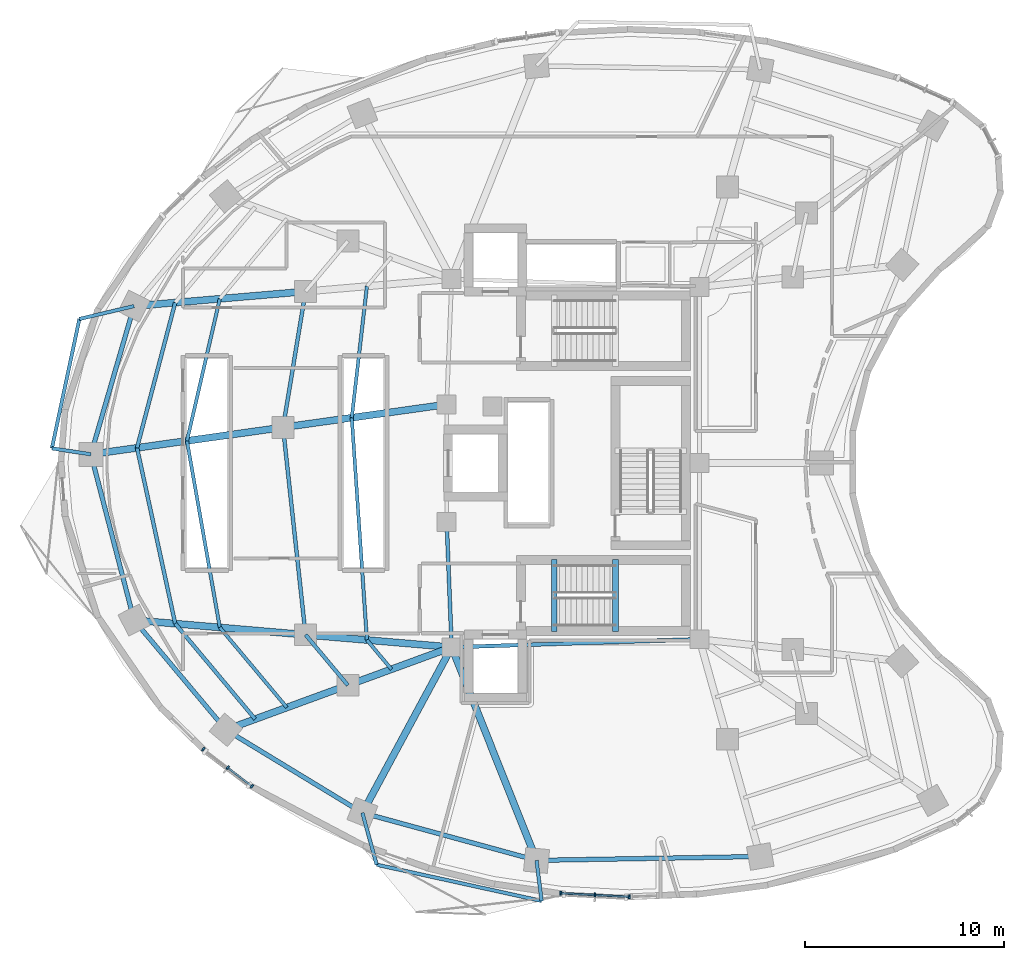
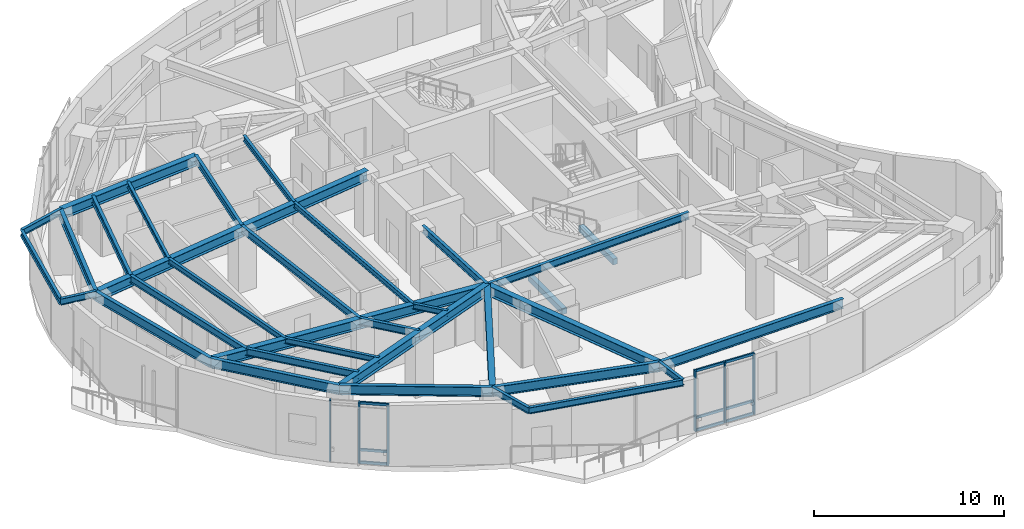
# One storey, part 2 of 13: 37 beams, 15 members, 2 elements without a shape of their own.
"""IFC4 building model written with IfcOpenShell, lengths in metres."""

from ifc_helpers import new_model, si_unit, direction, frame, origin, origin_2d, place, context, subcontext, project, spatial, rectangle, i_section, extrude, material, layer, layer_set, material_profile, profile_set, type_object, element, aggregate, save


model = new_model("IFC4")

# Units and contexts
model_context = context("Model", 3, precision=1e-05, world=origin(), true_north=direction((0.0, 1.0)))
body_context = subcontext(model_context, "Body", "Model", "MODEL_VIEW")
ifc_project = project(units=[si_unit("LENGTHUNIT", "METRE"), si_unit("AREAUNIT", "SQUARE_METRE"), si_unit("VOLUMEUNIT", "CUBIC_METRE"), si_unit("PLANEANGLEUNIT", "RADIAN"), si_unit("MASSUNIT", "GRAM", prefix="KILO")], contexts=[model_context])

# Site, building, storey
site_placement = place(None, origin())
site = spatial("IfcSite", under=ifc_project, at=site_placement, CompositionType="ELEMENT")
building_placement = place(site_placement, origin())
building = spatial("IfcBuilding", under=site, at=building_placement, Name="Korentha Bioscience Tower", CompositionType="ELEMENT")
storey_placement = place(building_placement, frame((0.0, 0.0, 106.800048828125)))
storey = spatial("IfcBuildingStorey", under=building, at=storey_placement, Name="L24", CompositionType="ELEMENT", Elevation=106.800048828125)

# Beams
ifc_material_1 = material(Name="Concrete C50", Category="concrete")
ifc_material_profile_1 = material_profile(ifc_material_1, rectangle(XDim=0.280029296875, YDim=0.3798828125, at=origin_2d()), Name="Concrete C50")
ifc_profile_set_1 = profile_set([ifc_material_profile_1], Name="Concrete C50 (ST-HB380)")
beam_type_1 = type_object("IfcBeamType", Name="Concrete Stair Header Beam RC 280x380", PredefinedType="BEAM", material=ifc_profile_set_1)
for number, where, z_axis, x_axis, name in (
    (1, (30.25, 18.550048828125, -0.18994140625), (0.0, 1.0, 0.0), (-1.0, 0.0, 0.0), "L24 ST-2 Concrete Stair Header Beam"),
    (2, (33.330078125, 18.550048828125, 1.909912109375), (0.0, 1.0, 0.0), (-1.0, 0.0, 0.0), "L24 ST-2 Half-Landing Header Beam 1"),
):
    element("IfcBeam", number, at=place(storey_placement, frame(where, z_axis=z_axis, x_axis=x_axis)), inside=storey, type_object=beam_type_1, Name=name, PredefinedType="BEAM", context=body_context, shape_type="SweptSolid", body=[
        extrude(rectangle(XDim=0.280029296875, YDim=0.3798828125, at=origin_2d()), origin(), (0.0, 0.0, 1.0), 3.599853515625),
    ])
ifc_material_2 = material(Name="Steel S355", Category="steel")
ifc_material_profile_2 = material_profile(ifc_material_2, i_section(OverallWidth=0.18994140625, OverallDepth=0.45703125, WebThickness=0.009033203125, FlangeThickness=0.014404296875, at=origin_2d()), Name="Steel S355")
ifc_profile_set_2 = profile_set([ifc_material_profile_2], Name="Steel S355 (MB-460)")
beam_type_2 = type_object("IfcBeamType", Name="Mid-Ring Tie Girder W460x74", PredefinedType="BEAM", material=ifc_profile_set_2)
beam_1_placement = place(storey_placement, frame((17.75927734375, 35.6240234375, 3.67138671875), z_axis=(-0.163580878592, -0.986529926641, 0.0), x_axis=(0.986529926641, -0.163580878592, 0.0)))
element("IfcBeam", 3, at=beam_1_placement, inside=storey, type_object=beam_type_2, Name="L24 Mid-Ring Tie Girder 06", PredefinedType="BEAM", context=body_context, shape_type="SweptSolid", body=[
    extrude(i_section(OverallWidth=0.18994140625, OverallDepth=0.45703125, WebThickness=0.009033203125, FlangeThickness=0.014404296875, at=origin_2d()), origin(), (0.0, 0.0, 1.0), 6.920654296875),
])
beam_2_placement = place(storey_placement, frame((16.627197265625, 28.796630859375, 3.67138671875), z_axis=(0.108002632645, -0.994150607977, 0.0), x_axis=(0.994150607977, 0.108002632645, 0.0)))
element("IfcBeam", 4, at=beam_2_placement, inside=storey, type_object=beam_type_2, Name="L24 Mid-Ring Tie Girder 07", PredefinedType="BEAM", context=body_context, shape_type="SweptSolid", body=[
    extrude(i_section(OverallWidth=0.18994140625, OverallDepth=0.45703125, WebThickness=0.009033203125, FlangeThickness=0.014404296875, at=origin_2d()), origin(), (0.0, 0.0, 1.0), 10.48193359375),
])
beam_3_placement = place(storey_placement, frame((17.75927734375, 18.3759765625, 3.67138671875), z_axis=(0.642121371708, -0.766602989817, 0.0), x_axis=(0.766602989817, 0.642121371708, 0.0)))
element("IfcBeam", 5, at=beam_3_placement, inside=storey, type_object=beam_type_2, Name="L24 Mid-Ring Tie Girder 08", PredefinedType="BEAM", context=body_context, shape_type="SweptSolid", body=[
    extrude(i_section(OverallWidth=0.18994140625, OverallDepth=0.45703125, WebThickness=0.009033203125, FlangeThickness=0.014404296875, at=origin_2d()), origin(), (0.0, 0.0, 1.0), 3.306640625),
])
beam_4_placement = place(storey_placement, frame((24.85009765625, 24.050048828125, 3.67138671875), z_axis=(0.039651025576, -0.999213588864, 0.0), x_axis=(0.999213588864, 0.039651025576, 0.0)))
element("IfcBeam", 6, at=beam_4_placement, inside=storey, type_object=beam_type_2, Name="L24 Core Ring Tie Girder 04", PredefinedType="BEAM", context=body_context, shape_type="SweptSolid", body=[
    extrude(i_section(OverallWidth=0.18994140625, OverallDepth=0.45703125, WebThickness=0.009033203125, FlangeThickness=0.014404296875, at=origin_2d()), origin(), (0.0, 0.0, 1.0), 6.304931640625),
])
beam_5_placement = place(storey_placement, frame((25.10009765625, 17.75, 3.67138671875), z_axis=(0.999484526071, 0.032104238723, 0.0), x_axis=(-0.032104238723, 0.999484526071, 0.0)))
element("IfcBeam", 7, at=beam_5_placement, inside=storey, type_object=beam_type_2, Name="L24 Core Ring Tie Girder 05", PredefinedType="BEAM", context=body_context, shape_type="SweptSolid", body=[
    extrude(i_section(OverallWidth=0.18994140625, OverallDepth=0.45703125, WebThickness=0.009033203125, FlangeThickness=0.014404296875, at=origin_2d()), origin(), (0.0, 0.0, 1.0), 12.456298828125),
])

# Curtain wall, members
ifc_material_3 = material(Name="Thermally Broken Aluminium Frame", Category="aluminium")
ifc_layer = layer(ifc_material_3, 0.219970703125, Name="Thermally Broken Aluminium Frame")
ifc_layer_set = layer_set([ifc_layer], Name="Thermally Broken Aluminium Frame (CW-T2)")
curtain_wall_type = type_object("IfcCurtainWallType", Name="Solar-Screened Lab Unitised Curtain Wall CW-T2", PredefinedType="USERDEFINED", material=ifc_layer_set)
curtain_wall_1_placement = place(storey_placement, origin())
curtain_wall_1 = element("IfcCurtainWall", 8, at=curtain_wall_1_placement, inside=storey, type_object=curtain_wall_type, Name="L24 Curtain Wall 25", ObjectType="UNITISED", PredefinedType="USERDEFINED")
ifc_material_4 = material(Name="Anodised Aluminium 6063-T6", Category="aluminium")
ifc_material_profile_3 = material_profile(ifc_material_4, rectangle(XDim=0.090087890625, YDim=0.199951171875, at=origin_2d()), Name="Anodised Aluminium 6063-T6")
ifc_profile_set_3 = profile_set([ifc_material_profile_3], Name="Anodised Aluminium 6063-T6 (CW-MUL)")
member_type_1 = type_object("IfcMemberType", Name="Mullion RECT 90x200", PredefinedType="MULLION", material=ifc_profile_set_3)
member_1_placement = place(storey_placement, frame((12.624267578125, 12.62890625, 0.0), z_axis=(0.0, 0.0, 1.0), x_axis=(0.794499603893, -0.607264669986, 0.0)))
member_1 = element("IfcMember", 9, at=member_1_placement, type_object=member_type_1, Name="CW-L24-25 Mullion 1", PredefinedType="MULLION", context=body_context, shape_type="SweptSolid", body=[
    extrude(rectangle(XDim=0.090087890625, YDim=0.199951171875, at=origin_2d()), origin(), (0.0, 0.0, 1.0), 3.89990234375),
])
member_2_placement = place(storey_placement, frame((13.844970703125, 11.69580078125, 0.0), z_axis=(0.0, 0.0, 1.0), x_axis=(0.794499603893, -0.607264669986, 0.0)))
member_2 = element("IfcMember", 10, at=member_2_placement, type_object=member_type_1, Name="CW-L24-25 Mullion 2", PredefinedType="MULLION", context=body_context, shape_type="SweptSolid", body=[
    extrude(rectangle(XDim=0.090087890625, YDim=0.199951171875, at=origin_2d()), origin(), (0.0, 0.0, 1.0), 3.89990234375),
])
member_3_placement = place(storey_placement, frame((15.0654296875, 10.7626953125, 0.0), z_axis=(0.0, 0.0, 1.0), x_axis=(0.794499603893, -0.607264669986, 0.0)))
member_3 = element("IfcMember", 11, at=member_3_placement, type_object=member_type_1, Name="CW-L24-25 Mullion 3", PredefinedType="MULLION", context=body_context, shape_type="SweptSolid", body=[
    extrude(rectangle(XDim=0.090087890625, YDim=0.199951171875, at=origin_2d()), origin(), (0.0, 0.0, 1.0), 3.89990234375),
])

curtain_wall_2_placement = place(storey_placement, origin())
curtain_wall_2 = element("IfcCurtainWall", 12, at=curtain_wall_2_placement, inside=storey, type_object=curtain_wall_type, Name="L24 Curtain Wall 31", ObjectType="UNITISED", PredefinedType="USERDEFINED")
member_4_placement = place(storey_placement, frame((30.571533203125, 5.39111328125, 0.0), z_axis=(0.0, 0.0, 1.0), x_axis=(0.998673231344, -0.051495407527, 0.0)))
member_4 = element("IfcMember", 13, at=member_4_placement, type_object=member_type_1, Name="CW-L24-31 Mullion 1", PredefinedType="MULLION", context=body_context, shape_type="SweptSolid", body=[
    extrude(rectangle(XDim=0.090087890625, YDim=0.199951171875, at=origin_2d()), origin(), (0.0, 0.0, 1.0), 3.89990234375),
])
member_5_placement = place(storey_placement, frame((32.301025390625, 5.302001953125, 0.0), z_axis=(0.0, 0.0, 1.0), x_axis=(0.998673231344, -0.051495407527, 0.0)))
member_5 = element("IfcMember", 14, at=member_5_placement, type_object=member_type_1, Name="CW-L24-31 Mullion 2", PredefinedType="MULLION", context=body_context, shape_type="SweptSolid", body=[
    extrude(rectangle(XDim=0.090087890625, YDim=0.199951171875, at=origin_2d()), origin(), (0.0, 0.0, 1.0), 3.89990234375),
])
member_6_placement = place(storey_placement, frame((34.03076171875, 5.212646484375, 0.0), z_axis=(0.0, 0.0, 1.0), x_axis=(0.998673231344, -0.051495407527, 0.0)))
member_6 = element("IfcMember", 15, at=member_6_placement, type_object=member_type_1, Name="CW-L24-31 Mullion 3", PredefinedType="MULLION", context=body_context, shape_type="SweptSolid", body=[
    extrude(rectangle(XDim=0.090087890625, YDim=0.199951171875, at=origin_2d()), origin(), (0.0, 0.0, 1.0), 3.89990234375),
])

# Beams
ifc_material_profile_4 = material_profile(ifc_material_2, i_section(OverallWidth=0.22802734375, OverallDepth=0.60791015625, WebThickness=0.01123046875, FlangeThickness=0.017333984375, at=origin_2d()), Name="Steel S355")
ifc_profile_set_4 = profile_set([ifc_material_profile_4], Name="Steel S355 (SB-610)")
beam_type_3 = type_object("IfcBeamType", Name="Perimeter Ring Spandrel Girder W610x113", PredefinedType="SPANDREL", material=ifc_profile_set_4)
beam_6_placement = place(storey_placement, frame((9.141845703125, 34.889404296875, 3.595947265625), z_axis=(-0.279486251653, -0.960149694129, 0.0), x_axis=(0.960149694129, -0.279486251653, 0.0)))
element("IfcBeam", 16, at=beam_6_placement, inside=storey, type_object=beam_type_3, Name="L24 Perimeter Spandrel Girder 06", PredefinedType="SPANDREL", context=body_context, shape_type="SweptSolid", body=[
    extrude(i_section(OverallWidth=0.22802734375, OverallDepth=0.60791015625, WebThickness=0.01123046875, FlangeThickness=0.017333984375, at=origin_2d()), origin(), (0.0, 0.0, 1.0), 7.756103515625),
])
beam_7_placement = place(storey_placement, frame((6.97412109375, 27.4423828125, 3.595947265625), z_axis=(0.251792692694, -0.96778119423, 0.0), x_axis=(0.96778119423, 0.251792692694, 0.0)))
element("IfcBeam", 17, at=beam_7_placement, inside=storey, type_object=beam_type_3, Name="L24 Perimeter Spandrel Girder 07", PredefinedType="SPANDREL", context=body_context, shape_type="SweptSolid", body=[
    extrude(i_section(OverallWidth=0.22802734375, OverallDepth=0.60791015625, WebThickness=0.01123046875, FlangeThickness=0.017333984375, at=origin_2d()), origin(), (0.0, 0.0, 1.0), 8.609130859375),
])
beam_8_placement = place(storey_placement, frame((9.141845703125, 19.110595703125, 3.595947265625), z_axis=(0.642126556076, -0.76659864726, 0.0), x_axis=(0.76659864726, 0.642126556076, 0.0)))
element("IfcBeam", 18, at=beam_8_placement, inside=storey, type_object=beam_type_3, Name="L24 Perimeter Spandrel Girder 08", PredefinedType="SPANDREL", context=body_context, shape_type="SweptSolid", body=[
    extrude(i_section(OverallWidth=0.22802734375, OverallDepth=0.60791015625, WebThickness=0.01123046875, FlangeThickness=0.017333984375, at=origin_2d()), origin(), (0.0, 0.0, 1.0), 7.1884765625),
])
beam_9_placement = place(storey_placement, frame((13.7578125, 13.599853515625, 3.595947265625), z_axis=(0.854461040474, -0.51951547649, 0.0), x_axis=(0.51951547649, 0.854461040474, 0.0)))
element("IfcBeam", 19, at=beam_9_placement, inside=storey, type_object=beam_type_3, Name="L24 Perimeter Spandrel Girder 09", PredefinedType="SPANDREL", context=body_context, shape_type="SweptSolid", body=[
    extrude(i_section(OverallWidth=0.22802734375, OverallDepth=0.60791015625, WebThickness=0.01123046875, FlangeThickness=0.017333984375, at=origin_2d()), origin(), (0.0, 0.0, 1.0), 8.025146484375),
])
beam_10_placement = place(storey_placement, frame((20.614990234375, 9.4306640625, 3.595947265625), z_axis=(0.964659386444, -0.263500034431, 0.0), x_axis=(0.263500034431, 0.964659386444, 0.0)))
element("IfcBeam", 20, at=beam_10_placement, inside=storey, type_object=beam_type_3, Name="L24 Perimeter Spandrel Girder 10", PredefinedType="SPANDREL", context=body_context, shape_type="SweptSolid", body=[
    extrude(i_section(OverallWidth=0.22802734375, OverallDepth=0.60791015625, WebThickness=0.01123046875, FlangeThickness=0.017333984375, at=origin_2d()), origin(), (0.0, 0.0, 1.0), 9.06982421875),
])
beam_11_placement = place(storey_placement, frame((29.3642578125, 7.040771484375, 3.595947265625), z_axis=(0.999850566826, 0.017287105523, 0.0), x_axis=(-0.017287105523, 0.999850566826, 0.0)))
element("IfcBeam", 21, at=beam_11_placement, inside=storey, type_object=beam_type_3, Name="L24 Perimeter Spandrel Girder 11", PredefinedType="SPANDREL", context=body_context, shape_type="SweptSolid", body=[
    extrude(i_section(OverallWidth=0.22802734375, OverallDepth=0.60791015625, WebThickness=0.01123046875, FlangeThickness=0.017333984375, at=origin_2d()), origin(), (0.0, 0.0, 1.0), 11.24169921875),
])
ifc_material_profile_5 = material_profile(ifc_material_2, i_section(OverallWidth=0.18994140625, OverallDepth=0.45703125, WebThickness=0.009033203125, FlangeThickness=0.014404296875, at=origin_2d()), Name="Steel S355")
ifc_profile_set_5 = profile_set([ifc_material_profile_5], Name="Steel S355 (RB-460)")
beam_type_4 = type_object("IfcBeamType", Name="Radial Laboratory Beam W460x74", PredefinedType="BEAM", material=ifc_profile_set_5)
beam_12_placement = place(storey_placement, frame((11.2099609375, 35.065673828125, 3.67138671875), z_axis=(-0.254294231014, -0.967126901742, 0.0), x_axis=(0.967126901742, -0.254294231014, 0.0)))
element("IfcBeam", 22, at=beam_12_placement, inside=storey, type_object=beam_type_4, Name="L24 Secondary Floor Beam JSTO-06", PredefinedType="BEAM", context=body_context, shape_type="SweptSolid", body=[
    extrude(i_section(OverallWidth=0.18994140625, OverallDepth=0.45703125, WebThickness=0.009033203125, FlangeThickness=0.014404296875, at=origin_2d()), origin(), (0.0, 0.0, 1.0), 7.546142578125),
])
beam_13_placement = place(storey_placement, frame((9.291015625, 27.767578125, 3.67138671875), z_axis=(0.212289478944, -0.977206824132, 0.0), x_axis=(0.977206824132, 0.212289478944, 0.0)))
element("IfcBeam", 23, at=beam_13_placement, inside=storey, type_object=beam_type_4, Name="L24 Secondary Floor Beam JSTO-07", PredefinedType="BEAM", context=body_context, shape_type="SweptSolid", body=[
    extrude(i_section(OverallWidth=0.18994140625, OverallDepth=0.45703125, WebThickness=0.009033203125, FlangeThickness=0.014404296875, at=origin_2d()), origin(), (0.0, 0.0, 1.0), 9.039306640625),
])
beam_14_placement = place(storey_placement, frame((11.2099609375, 18.934326171875, 3.67138671875), z_axis=(0.642128156066, -0.766597307057, 0.0), x_axis=(0.766597307057, 0.642128156066, 0.0)))
element("IfcBeam", 24, at=beam_14_placement, inside=storey, type_object=beam_type_4, Name="L24 Secondary Floor Beam JSTO-08", PredefinedType="BEAM", context=body_context, shape_type="SweptSolid", body=[
    extrude(i_section(OverallWidth=0.18994140625, OverallDepth=0.45703125, WebThickness=0.009033203125, FlangeThickness=0.014404296875, at=origin_2d()), origin(), (0.0, 0.0, 1.0), 6.257080078125),
])
ifc_material_profile_6 = material_profile(ifc_material_2, i_section(OverallWidth=0.35009765625, OverallDepth=0.64990234375, WebThickness=0.01611328125, FlangeThickness=0.02490234375, at=origin_2d()), Name="Steel S355")
ifc_profile_set_6 = profile_set([ifc_material_profile_6], Name="Steel S355 (RB-650)")
beam_type_5 = type_object("IfcBeamType", Name="Radial Laboratory Girder CVS 650x208", PredefinedType="BEAM", material=ifc_profile_set_6)
beam_15_placement = place(storey_placement, frame((17.75927734375, 35.6240234375, 3.574951171875), z_axis=(-0.996386071548, -0.084939957767, 0.0), x_axis=(0.084939957767, -0.996386071548, 0.0)))
element("IfcBeam", 25, at=beam_15_placement, inside=storey, type_object=beam_type_5, Name="L24 Outer Radial Girder 06", PredefinedType="BEAM", context=body_context, shape_type="SweptSolid", body=[
    extrude(i_section(OverallWidth=0.35009765625, OverallDepth=0.64990234375, WebThickness=0.01611328125, FlangeThickness=0.02490234375, at=origin_2d()), origin(), (0.0, 0.0, 1.0), 8.648681640625),
])
beam_16_placement = place(storey_placement, frame((24.85009765625, 29.949951171875, 3.574951171875), z_axis=(-0.990306752817, -0.13889757134, 0.0), x_axis=(0.13889757134, -0.990306752817, 0.0)))
element("IfcBeam", 26, at=beam_16_placement, inside=storey, type_object=beam_type_5, Name="L24 Inner Radial Girder 07", PredefinedType="BEAM", context=body_context, shape_type="SweptSolid", body=[
    extrude(i_section(OverallWidth=0.35009765625, OverallDepth=0.64990234375, WebThickness=0.01611328125, FlangeThickness=0.02490234375, at=origin_2d()), origin(), (0.0, 0.0, 1.0), 8.303466796875),
])
beam_17_placement = place(storey_placement, frame((16.627197265625, 28.796630859375, 3.574951171875), z_axis=(-0.99030201931, -0.138931315944, 0.0), x_axis=(0.138931315944, -0.99030201931, 0.0)))
element("IfcBeam", 27, at=beam_17_placement, inside=storey, type_object=beam_type_5, Name="L24 Outer Radial Girder 07", PredefinedType="BEAM", context=body_context, shape_type="SweptSolid", body=[
    extrude(i_section(OverallWidth=0.35009765625, OverallDepth=0.64990234375, WebThickness=0.01611328125, FlangeThickness=0.02490234375, at=origin_2d()), origin(), (0.0, 0.0, 1.0), 9.74755859375),
])
beam_18_placement = place(storey_placement, frame((25.10009765625, 17.75, 3.574951171875), z_axis=(-0.996383934197, 0.084965026183, 0.0), x_axis=(-0.084965026183, -0.996383934197, 0.0)))
element("IfcBeam", 28, at=beam_18_placement, inside=storey, type_object=beam_type_5, Name="L24 Inner Radial Girder 08", PredefinedType="BEAM", context=body_context, shape_type="SweptSolid", body=[
    extrude(i_section(OverallWidth=0.35009765625, OverallDepth=0.64990234375, WebThickness=0.01611328125, FlangeThickness=0.02490234375, at=origin_2d()), origin(), (0.0, 0.0, 1.0), 7.367431640625),
])
beam_19_placement = place(storey_placement, frame((17.75927734375, 18.3759765625, 3.574951171875), z_axis=(-0.996386071548, 0.084939957767, 0.0), x_axis=(-0.084939957767, -0.996386071548, 0.0)))
element("IfcBeam", 29, at=beam_19_placement, inside=storey, type_object=beam_type_5, Name="L24 Outer Radial Girder 08", PredefinedType="BEAM", context=body_context, shape_type="SweptSolid", body=[
    extrude(i_section(OverallWidth=0.35009765625, OverallDepth=0.64990234375, WebThickness=0.01611328125, FlangeThickness=0.02490234375, at=origin_2d()), origin(), (0.0, 0.0, 1.0), 8.648681640625),
])
beam_20_placement = place(storey_placement, frame((25.10009765625, 17.75, 3.574951171875), z_axis=(-0.939118010396, -0.343594765022, 0.0), x_axis=(0.343594765022, -0.939118010396, 0.0)))
element("IfcBeam", 30, at=beam_20_placement, inside=storey, type_object=beam_type_5, Name="L24 Inner Radial Girder 09", PredefinedType="BEAM", context=body_context, shape_type="SweptSolid", body=[
    extrude(i_section(OverallWidth=0.35009765625, OverallDepth=0.64990234375, WebThickness=0.01611328125, FlangeThickness=0.02490234375, at=origin_2d()), origin(), (0.0, 0.0, 1.0), 5.5556640625),
])
beam_21_placement = place(storey_placement, frame((19.882568359375, 15.841064453125, 3.574951171875), z_axis=(-0.939100755225, -0.343641923425, 0.0), x_axis=(0.343641923425, -0.939100755225, 0.0)))
element("IfcBeam", 31, at=beam_21_placement, inside=storey, type_object=beam_type_5, Name="L24 Outer Radial Girder 09", PredefinedType="BEAM", context=body_context, shape_type="SweptSolid", body=[
    extrude(i_section(OverallWidth=0.35009765625, OverallDepth=0.64990234375, WebThickness=0.01611328125, FlangeThickness=0.02490234375, at=origin_2d()), origin(), (0.0, 0.0, 1.0), 6.52197265625),
])
beam_22_placement = place(storey_placement, frame((25.10009765625, 17.75, 3.574951171875), z_axis=(-0.474548018732, -0.880229616587, 0.0), x_axis=(0.880229616587, -0.474548018732, 0.0)))
element("IfcBeam", 32, at=beam_22_placement, inside=storey, type_object=beam_type_5, Name="L24 Radial Girder 10", PredefinedType="BEAM", context=body_context, shape_type="SweptSolid", body=[
    extrude(i_section(OverallWidth=0.35009765625, OverallDepth=0.64990234375, WebThickness=0.01611328125, FlangeThickness=0.02490234375, at=origin_2d()), origin(), (0.0, 0.0, 1.0), 9.451416015625),
])
beam_23_placement = place(storey_placement, frame((25.10009765625, 17.75, 3.574951171875), z_axis=(0.369929528493, -0.929059817207, 0.0), x_axis=(0.929059817207, 0.369929528493, 0.0)))
element("IfcBeam", 33, at=beam_23_placement, inside=storey, type_object=beam_type_5, Name="L24 Radial Girder 11", PredefinedType="BEAM", context=body_context, shape_type="SweptSolid", body=[
    extrude(i_section(OverallWidth=0.35009765625, OverallDepth=0.64990234375, WebThickness=0.01611328125, FlangeThickness=0.02490234375, at=origin_2d()), origin(), (0.0, 0.0, 1.0), 11.52685546875),
])
ifc_material_profile_7 = material_profile(ifc_material_2, i_section(OverallWidth=0.1708984375, OverallDepth=0.35498046875, WebThickness=0.007080078125, FlangeThickness=0.01171875, at=origin_2d()), Name="Steel S355")
ifc_profile_set_7 = profile_set([ifc_material_profile_7], Name="Steel S355 (JB-360)")
beam_type_6 = type_object("IfcBeamType", Name="Secondary Laboratory Joist W360x51", PredefinedType="JOIST", material=ifc_profile_set_7)
beam_24_placement = place(storey_placement, frame((13.450439453125, 35.256591796875, 3.722412109375), z_axis=(-0.225236780605, -0.974304055551, 0.0), x_axis=(0.974304055551, -0.225236780605, 0.0)))
element("IfcBeam", 34, at=beam_24_placement, inside=storey, type_object=beam_type_6, Name="L24 Secondary Floor Beam JST-06", PredefinedType="JOIST", context=body_context, shape_type="SweptSolid", body=[
    extrude(i_section(OverallWidth=0.1708984375, OverallDepth=0.35498046875, WebThickness=0.007080078125, FlangeThickness=0.01171875, at=origin_2d()), origin(), (0.0, 0.0, 1.0), 7.3251953125),
])
beam_25_placement = place(storey_placement, frame((20.84228515625, 35.886962890625, 3.722412109375), z_axis=(-0.114512623722, -0.993421793101, 0.0), x_axis=(0.993421793101, -0.114512623722, 0.0)))
element("IfcBeam", 35, at=beam_25_placement, inside=storey, type_object=beam_type_6, Name="L24 Inner Bay Joist 06", PredefinedType="JOIST", context=body_context, shape_type="SweptSolid", body=[
    extrude(i_section(OverallWidth=0.1708984375, OverallDepth=0.35498046875, WebThickness=0.007080078125, FlangeThickness=0.01171875, at=origin_2d()), origin(), (0.0, 0.0, 1.0), 6.649658203125),
])
beam_26_placement = place(storey_placement, frame((11.800537109375, 28.11962890625, 3.722412109375), z_axis=(0.173304009699, -0.984868377105, 0.0), x_axis=(0.984868377105, 0.173304009699, 0.0)))
element("IfcBeam", 36, at=beam_26_placement, inside=storey, type_object=beam_type_6, Name="L24 Secondary Floor Beam JST-07", PredefinedType="JOIST", context=body_context, shape_type="SweptSolid", body=[
    extrude(i_section(OverallWidth=0.1708984375, OverallDepth=0.35498046875, WebThickness=0.007080078125, FlangeThickness=0.01171875, at=origin_2d()), origin(), (0.0, 0.0, 1.0), 9.520263671875),
])
beam_27_placement = place(storey_placement, frame((20.080810546875, 29.281005859375, 3.722412109375), z_axis=(0.068025861704, -0.997683558118, 0.0), x_axis=(0.997683558118, 0.068025861704, 0.0)))
element("IfcBeam", 37, at=beam_27_placement, inside=storey, type_object=beam_type_6, Name="L24 Inner Bay Joist 07", PredefinedType="JOIST", context=body_context, shape_type="SweptSolid", body=[
    extrude(i_section(OverallWidth=0.1708984375, OverallDepth=0.35498046875, WebThickness=0.007080078125, FlangeThickness=0.01171875, at=origin_2d()), origin(), (0.0, 0.0, 1.0), 11.19384765625),
])
beam_28_placement = place(storey_placement, frame((13.450439453125, 18.743408203125, 3.722412109375), z_axis=(0.642140812018, -0.76658670582, 0.0), x_axis=(0.76658670582, 0.642140812018, 0.0)))
element("IfcBeam", 38, at=beam_28_placement, inside=storey, type_object=beam_type_6, Name="L24 Secondary Floor Beam JST-08", PredefinedType="JOIST", context=body_context, shape_type="SweptSolid", body=[
    extrude(i_section(OverallWidth=0.1708984375, OverallDepth=0.35498046875, WebThickness=0.007080078125, FlangeThickness=0.01171875, at=origin_2d()), origin(), (0.0, 0.0, 1.0), 5.247802734375),
])
beam_29_placement = place(storey_placement, frame((20.84228515625, 18.113037109375, 3.722412109375), z_axis=(0.64218549873, -0.766549271229, 0.0), x_axis=(0.766549271229, 0.64218549873, 0.0)))
element("IfcBeam", 39, at=beam_29_placement, inside=storey, type_object=beam_type_6, Name="L24 Inner Bay Joist 08", PredefinedType="JOIST", context=body_context, shape_type="SweptSolid", body=[
    extrude(i_section(OverallWidth=0.1708984375, OverallDepth=0.35498046875, WebThickness=0.007080078125, FlangeThickness=0.01171875, at=origin_2d()), origin(), (0.0, 0.0, 1.0), 1.91796875),
])
ifc_material_profile_8 = material_profile(ifc_material_2, i_section(OverallWidth=0.177978515625, OverallDepth=0.406982421875, WebThickness=0.0078125, FlangeThickness=0.0126953125, at=origin_2d()), Name="Steel S355")
ifc_profile_set_8 = profile_set([ifc_material_profile_8], Name="Steel S355 (CB-410)")
beam_type_7 = type_object("IfcBeamType", Name="Sun-Ledge Cantilever Beam W410x60", PredefinedType="BEAM", material=ifc_profile_set_8)
beam_30_placement = place(storey_placement, frame((9.141845703125, 34.889404296875, 3.698486328125), z_axis=(-0.973303545012, -0.229521696725, 0.0), x_axis=(0.229521696725, -0.973303545012, 0.0)))
element("IfcBeam", 40, at=beam_30_placement, inside=storey, type_object=beam_type_7, Name="L24 Balcony Cantilever Bracket A-L25-02", PredefinedType="BEAM", context=body_context, shape_type="SweptSolid", body=[
    extrude(i_section(OverallWidth=0.177978515625, OverallDepth=0.406982421875, WebThickness=0.0078125, FlangeThickness=0.0126953125, at=origin_2d()), origin(), (0.0, 0.0, 1.0), 2.82080078125),
])
beam_31_placement = place(storey_placement, frame((6.97412109375, 27.4423828125, 3.698486328125), z_axis=(-0.988449844693, 0.151548357058, 0.0), x_axis=(-0.151548357058, -0.988449844693, 0.0)))
element("IfcBeam", 41, at=beam_31_placement, inside=storey, type_object=beam_type_7, Name="L24 Balcony Cantilever Bracket B-L25-02", PredefinedType="BEAM", context=body_context, shape_type="SweptSolid", body=[
    extrude(i_section(OverallWidth=0.177978515625, OverallDepth=0.406982421875, WebThickness=0.0078125, FlangeThickness=0.0126953125, at=origin_2d()), origin(), (0.0, 0.0, 1.0), 1.983154296875),
])
beam_32_placement = place(storey_placement, frame((6.396240234375, 34.241943359375, 3.698486328125), z_axis=(-0.208043322496, -0.978119612299, 0.0), x_axis=(0.978119612299, -0.208043322496, 0.0)))
element("IfcBeam", 42, at=beam_32_placement, inside=storey, type_object=beam_type_7, Name="L24 Balcony Edge Trimmer Beam L25-02", PredefinedType="BEAM", context=body_context, shape_type="SweptSolid", body=[
    extrude(i_section(OverallWidth=0.177978515625, OverallDepth=0.406982421875, WebThickness=0.0078125, FlangeThickness=0.0126953125, at=origin_2d()), origin(), (0.0, 0.0, 1.0), 6.644287109375),
])
beam_33_placement = place(storey_placement, frame((20.614990234375, 9.4306640625, 3.698486328125), z_axis=(0.26487511254, -0.964282725531, 0.0), x_axis=(0.964282725531, 0.26487511254, 0.0)))
element("IfcBeam", 43, at=beam_33_placement, inside=storey, type_object=beam_type_7, Name="L24 Balcony Cantilever Bracket A-L25-03", PredefinedType="BEAM", context=body_context, shape_type="SweptSolid", body=[
    extrude(i_section(OverallWidth=0.177978515625, OverallDepth=0.406982421875, WebThickness=0.0078125, FlangeThickness=0.0126953125, at=origin_2d()), origin(), (0.0, 0.0, 1.0), 2.702392578125),
])
beam_34_placement = place(storey_placement, frame((29.3642578125, 7.040771484375, 3.698486328125), z_axis=(0.124078617268, -0.992272390393, 0.0), x_axis=(0.992272390393, 0.124078617268, 0.0)))
element("IfcBeam", 44, at=beam_34_placement, inside=storey, type_object=beam_type_7, Name="L24 Balcony Cantilever Bracket B-L25-03", PredefinedType="BEAM", context=body_context, shape_type="SweptSolid", body=[
    extrude(i_section(OverallWidth=0.177978515625, OverallDepth=0.406982421875, WebThickness=0.0078125, FlangeThickness=0.0126953125, at=origin_2d()), origin(), (0.0, 0.0, 1.0), 2.05419921875),
])
beam_35_placement = place(storey_placement, frame((21.330810546875, 6.82470703125, 3.698486328125), z_axis=(0.976673314546, -0.21473061415, 0.0), x_axis=(0.21473061415, 0.976673314546, 0.0)))
element("IfcBeam", 45, at=beam_35_placement, inside=storey, type_object=beam_type_7, Name="L24 Balcony Edge Trimmer Beam L25-03", PredefinedType="BEAM", context=body_context, shape_type="SweptSolid", body=[
    extrude(i_section(OverallWidth=0.177978515625, OverallDepth=0.406982421875, WebThickness=0.0078125, FlangeThickness=0.0126953125, at=origin_2d()), origin(), (0.0, 0.0, 1.0), 8.486328125),
])

# Member
ifc_material_profile_9 = material_profile(ifc_material_4, rectangle(XDim=0.090087890625, YDim=0.159912109375, at=origin_2d()), Name="Anodised Aluminium 6063-T6")
ifc_profile_set_9 = profile_set([ifc_material_profile_9], Name="Anodised Aluminium 6063-T6 (CW-TRN)")
member_type_2 = type_object("IfcMemberType", Name="Transom RECT 90x160", PredefinedType="USERDEFINED", material=ifc_profile_set_9)
member_7_placement = place(storey_placement, frame((13.880615234375, 11.66845703125, 0.044921875), z_axis=(0.794477589546, -0.607293470828, 0.0), x_axis=(0.607293470828, 0.794477589546, 0.0)))
member_7 = element("IfcMember", 46, at=member_7_placement, type_object=member_type_2, Name="CW-L24-25 Bay 2 Transom 1", ObjectType="TRANSOM", PredefinedType="USERDEFINED", context=body_context, shape_type="SweptSolid", body=[
    extrude(rectangle(XDim=0.090087890625, YDim=0.159912109375, at=origin_2d()), origin(), (0.0, 0.0, 1.0), 1.446533203125),
])

member_8_placement = place(storey_placement, frame((13.880615234375, 11.66845703125, 0.849853515625), z_axis=(0.794477589546, -0.607293470828, 0.0), x_axis=(0.607293470828, 0.794477589546, 0.0)))
member_8 = element("IfcMember", 47, at=member_8_placement, type_object=member_type_2, Name="CW-L24-25 Bay 2 Transom 2", ObjectType="TRANSOM", PredefinedType="USERDEFINED", context=body_context, shape_type="SweptSolid", body=[
    extrude(rectangle(XDim=0.090087890625, YDim=0.159912109375, at=origin_2d()), origin(), (0.0, 0.0, 1.0), 1.446533203125),
])

member_9_placement = place(storey_placement, frame((13.880615234375, 11.66845703125, 3.85498046875), z_axis=(0.794477589546, -0.607293470828, 0.0), x_axis=(0.607293470828, 0.794477589546, 0.0)))
member_9 = element("IfcMember", 48, at=member_9_placement, type_object=member_type_2, Name="CW-L24-25 Bay 2 Transom 3", ObjectType="TRANSOM", PredefinedType="USERDEFINED", context=body_context, shape_type="SweptSolid", body=[
    extrude(rectangle(XDim=0.090087890625, YDim=0.159912109375, at=origin_2d()), origin(), (0.0, 0.0, 1.0), 1.446533203125),
])

aggregate(curtain_wall_1, [member_1, member_2, member_3, member_7, member_8, member_9])

member_10_placement = place(storey_placement, frame((30.616455078125, 5.388916015625, 0.044921875), z_axis=(0.998667892989, -0.05159883247, 0.0), x_axis=(0.05159883247, 0.998667892989, 0.0)))
member_10 = element("IfcMember", 49, at=member_10_placement, type_object=member_type_2, Name="CW-L24-31 Bay 1 Transom 1", ObjectType="TRANSOM", PredefinedType="USERDEFINED", context=body_context, shape_type="SweptSolid", body=[
    extrude(rectangle(XDim=0.090087890625, YDim=0.159912109375, at=origin_2d()), origin(), (0.0, 0.0, 1.0), 1.641845703125),
])

member_11_placement = place(storey_placement, frame((30.616455078125, 5.388916015625, 0.849853515625), z_axis=(0.998667892989, -0.05159883247, 0.0), x_axis=(0.05159883247, 0.998667892989, 0.0)))
member_11 = element("IfcMember", 50, at=member_11_placement, type_object=member_type_2, Name="CW-L24-31 Bay 1 Transom 2", ObjectType="TRANSOM", PredefinedType="USERDEFINED", context=body_context, shape_type="SweptSolid", body=[
    extrude(rectangle(XDim=0.090087890625, YDim=0.159912109375, at=origin_2d()), origin(), (0.0, 0.0, 1.0), 1.641845703125),
])

member_12_placement = place(storey_placement, frame((30.616455078125, 5.388916015625, 3.85498046875), z_axis=(0.998667892989, -0.05159883247, 0.0), x_axis=(0.05159883247, 0.998667892989, 0.0)))
member_12 = element("IfcMember", 51, at=member_12_placement, type_object=member_type_2, Name="CW-L24-31 Bay 1 Transom 3", ObjectType="TRANSOM", PredefinedType="USERDEFINED", context=body_context, shape_type="SweptSolid", body=[
    extrude(rectangle(XDim=0.090087890625, YDim=0.159912109375, at=origin_2d()), origin(), (0.0, 0.0, 1.0), 1.641845703125),
])

member_13_placement = place(storey_placement, frame((32.345947265625, 5.299560546875, 0.044921875), z_axis=(0.998675544552, -0.051450526863, 0.0), x_axis=(0.051450526863, 0.998675544552, 0.0)))
member_13 = element("IfcMember", 52, at=member_13_placement, type_object=member_type_2, Name="CW-L24-31 Bay 2 Transom 1", ObjectType="TRANSOM", PredefinedType="USERDEFINED", context=body_context, shape_type="SweptSolid", body=[
    extrude(rectangle(XDim=0.090087890625, YDim=0.159912109375, at=origin_2d()), origin(), (0.0, 0.0, 1.0), 1.641845703125),
])

member_14_placement = place(storey_placement, frame((32.345947265625, 5.299560546875, 0.849853515625), z_axis=(0.998675544552, -0.051450526863, 0.0), x_axis=(0.051450526863, 0.998675544552, 0.0)))
member_14 = element("IfcMember", 53, at=member_14_placement, type_object=member_type_2, Name="CW-L24-31 Bay 2 Transom 2", ObjectType="TRANSOM", PredefinedType="USERDEFINED", context=body_context, shape_type="SweptSolid", body=[
    extrude(rectangle(XDim=0.090087890625, YDim=0.159912109375, at=origin_2d()), origin(), (0.0, 0.0, 1.0), 1.641845703125),
])

member_15_placement = place(storey_placement, frame((32.345947265625, 5.299560546875, 3.85498046875), z_axis=(0.998675544552, -0.051450526863, 0.0), x_axis=(0.051450526863, 0.998675544552, 0.0)))
member_15 = element("IfcMember", 54, at=member_15_placement, type_object=member_type_2, Name="CW-L24-31 Bay 2 Transom 3", ObjectType="TRANSOM", PredefinedType="USERDEFINED", context=body_context, shape_type="SweptSolid", body=[
    extrude(rectangle(XDim=0.090087890625, YDim=0.159912109375, at=origin_2d()), origin(), (0.0, 0.0, 1.0), 1.641845703125),
])

aggregate(curtain_wall_2, [member_4, member_5, member_6, member_10, member_11, member_12, member_13, member_14, member_15])

save(model, "model.ifc")
